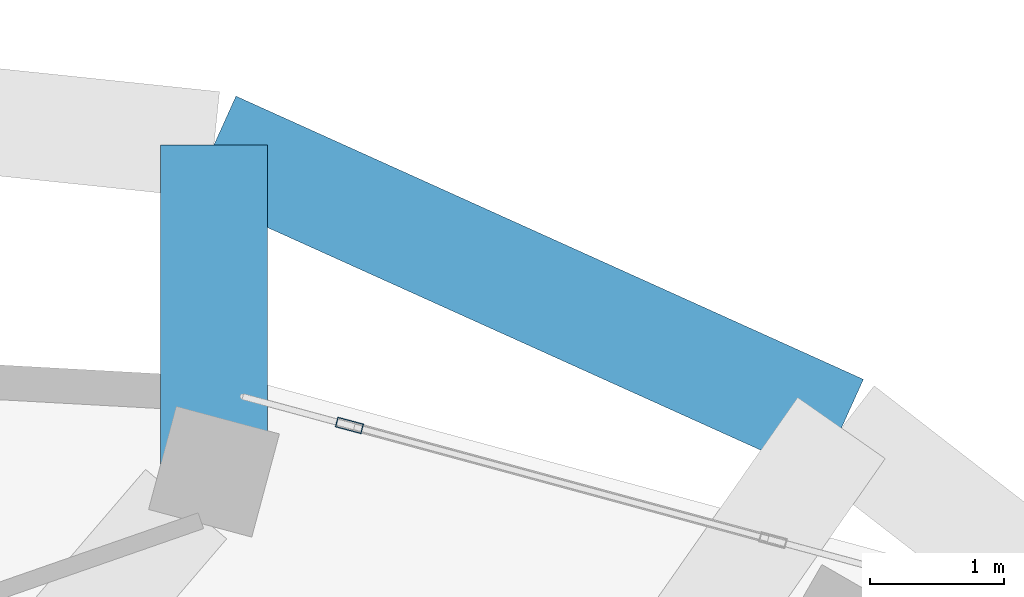
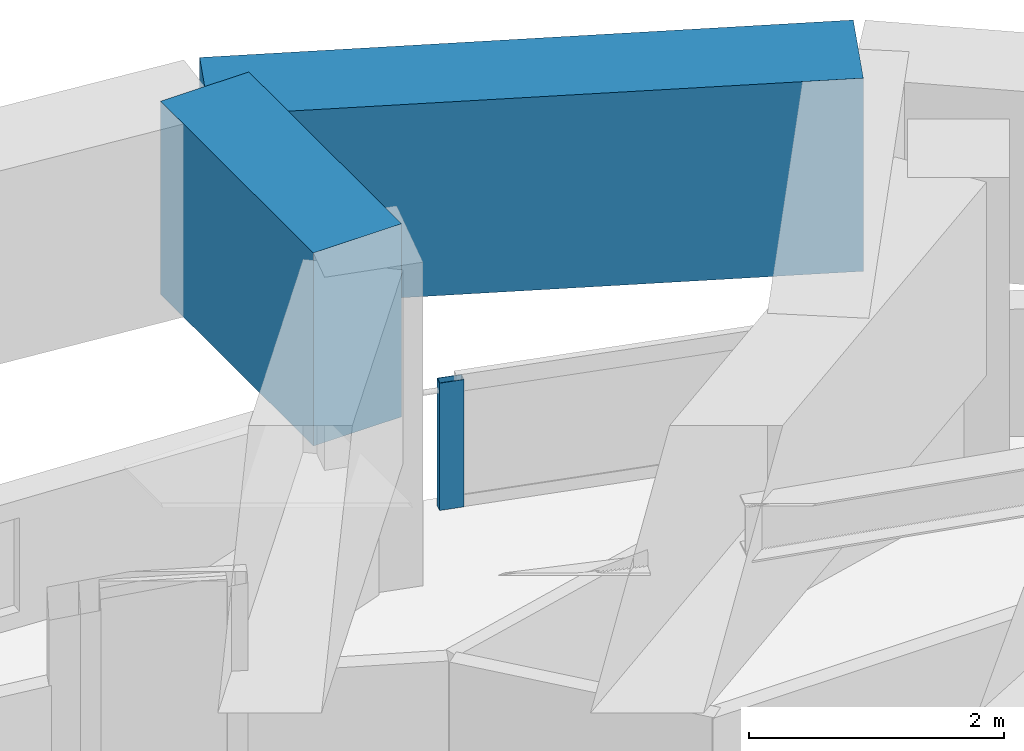
# One storey, part 12 of 20: 2 beams, 1 member, 1 element without a shape of its own.
"""IFC4 building model written with IfcOpenShell, lengths in metres."""

import ifcopenshell
import ifcopenshell.guid

model = None  # the IFC model being written
_history = None  # IfcOwnerHistory: only IFC2X3 demands one
_inside = {}  # id of a spatial element -> (the spatial element, [elements in it])
_under = {}  # id of a project, library or spatial element -> (it, [spatial elements below it])
_declared = {}  # id of a project -> (the project, [libraries it declares])
_typed = {}  # id of a type object -> (the type object, [elements of that type])
_made_of = {}  # id of a material, layer set ... -> (it, [elements and type objects made of it])


def new_model(schema):
    """Start an empty IFC model of exactly this schema.

    Asked for "IFC4X3", IfcOpenShell would pick the latest addendum, in which some entities
    have other attributes; the version numbers below select the first issue.
    IFC2X3 requires an IfcOwnerHistory on every rooted entity: one is made here for all.
    """
    global model, _history
    if schema == "IFC4X3":
        model = ifcopenshell.file(schema_version=(4, 3, 0, 0))
    else:
        model = ifcopenshell.file(schema=schema)
    _inside.clear()
    _under.clear()
    _declared.clear()
    _typed.clear()
    _made_of.clear()
    _history = None
    if model.schema == "IFC2X3":
        org = make("IfcOrganization", Name="unknown")
        user = make(
            "IfcPersonAndOrganization",
            ThePerson=make("IfcPerson", FamilyName="unknown"),
            TheOrganization=org,
        )
        app = make(
            "IfcApplication",
            ApplicationDeveloper=org,
            Version="unknown",
            ApplicationFullName="unknown",
            ApplicationIdentifier="unknown",
        )
        _history = make(
            "IfcOwnerHistory",
            OwningUser=user,
            OwningApplication=app,
            ChangeAction="ADDED",
            CreationDate=0,
        )
    return model


def make(cls, **values):
    """One entity of the class cls with the attributes given. An attribute that is None is left unset."""
    return model.create_entity(
        cls, **{name: value for name, value in values.items() if value is not None}
    )


def rooted(cls, **values):
    """An entity with a GlobalId (a new one), such as an element, a storey or a relation."""
    return make(cls, GlobalId=ifcopenshell.guid.new(), OwnerHistory=_history, **values)


def si_unit(unit_type, name, prefix=None):
    """IfcSIUnit, for example si_unit("LENGTHUNIT", "METRE", prefix="MILLI")."""
    return make("IfcSIUnit", UnitType=unit_type, Prefix=prefix, Name=name)


def assignment(units):
    """IfcUnitAssignment: the units of a project."""
    return None if units is None else make("IfcUnitAssignment", Units=units)


def point(xyz):
    """IfcCartesianPoint."""
    return None if xyz is None else make("IfcCartesianPoint", Coordinates=xyz)


def direction(xyz):
    """IfcDirection."""
    return None if xyz is None else make("IfcDirection", DirectionRatios=xyz)


def frame(location, z_axis=None, x_axis=None):
    """IfcAxis2Placement3D, a coordinate frame: its origin and axes. An axis left out is left unset."""
    return make(
        "IfcAxis2Placement3D",
        Location=point(location),
        Axis=direction(z_axis),
        RefDirection=direction(x_axis),
    )


def frame_2d(location, x_axis=None):
    """IfcAxis2Placement2D, a coordinate frame in the plane: its origin and x axis."""
    return make(
        "IfcAxis2Placement2D", Location=point(location), RefDirection=direction(x_axis)
    )


def origin():
    """The frame at (0, 0, 0) with its axes left unset."""
    return frame((0.0, 0.0, 0.0))


def origin_2d():
    """The frame at (0, 0) in the plane with its x axis left unset."""
    return frame_2d((0.0, 0.0))


def place(relative_to, where):
    """IfcLocalPlacement: puts the frame where relative to a parent placement (None: the world)."""
    return make(
        "IfcLocalPlacement", PlacementRelTo=relative_to, RelativePlacement=where
    )


def context(
    kind, dimensions, precision=None, world=None, true_north=None, identifier=None
):
    """IfcGeometricRepresentationContext, for example the 3D "Model" context."""
    return make(
        "IfcGeometricRepresentationContext",
        ContextIdentifier=identifier,
        ContextType=kind,
        CoordinateSpaceDimension=dimensions,
        Precision=precision,
        WorldCoordinateSystem=world,
        TrueNorth=true_north,
    )


def subcontext(parent, identifier, kind, view, scale=None):
    """IfcGeometricRepresentationSubContext, for example "Body" below "Model"."""
    return make(
        "IfcGeometricRepresentationSubContext",
        ContextIdentifier=identifier,
        ContextType=kind,
        ParentContext=parent,
        TargetScale=scale,
        TargetView=view,
    )


def project(units=None, contexts=None):
    """IfcProject with its units and contexts."""
    return rooted(
        "IfcProject",
        Name="project",
        RepresentationContexts=contexts,
        UnitsInContext=assignment(units),
    )


def spatial(cls, under=None, at=None, **own):
    """A site, building, storey or space (cls), placed at a placement, below another one or the project."""
    s = rooted(cls, ObjectPlacement=at, **own)
    if under is not None:
        _under.setdefault(under.id(), (under, []))[1].append(s)
    return s


def profile(cls, at=None, kind="AREA", **sizes):
    """A parametric profile (cls). Its sizes go by their IFC names, for example OverallWidth=200.0."""
    return make(cls, ProfileType=kind, Position=at, **sizes)


def rectangle(**sizes):
    """IfcRectangleProfileDef."""
    return profile("IfcRectangleProfileDef", **sizes)


def hollow_rectangle(**sizes):
    """IfcRectangleHollowProfileDef."""
    return profile("IfcRectangleHollowProfileDef", **sizes)


def extrude(swept, where, along, depth):
    """IfcExtrudedAreaSolid: the profile swept, set in the frame where, extruded along a direction by depth."""
    return make(
        "IfcExtrudedAreaSolid",
        SweptArea=swept,
        Position=where,
        ExtrudedDirection=direction(along),
        Depth=depth,
    )


def shape(context_of_items, identifier, shape_type, items):
    """IfcShapeRepresentation: the items that make up one representation, for example the "Body"."""
    return make(
        "IfcShapeRepresentation",
        ContextOfItems=context_of_items,
        RepresentationIdentifier=identifier,
        RepresentationType=shape_type,
        Items=items,
    )


def material(Name=None, Category=None):
    """IfcMaterial."""
    return make("IfcMaterial", Name=Name, Category=Category)


def layer(
    of_material, thickness, ventilated=None, Name=None, Category=None, Priority=None
):
    """IfcMaterialLayer: one layer of a wall or slab, of a material (None: an air gap)."""
    return make(
        "IfcMaterialLayer",
        Material=of_material,
        LayerThickness=thickness,
        IsVentilated=ventilated,
        Name=Name,
        Category=Category,
        Priority=Priority,
    )


def layer_set(layers, Name=None):
    """IfcMaterialLayerSet."""
    return make("IfcMaterialLayerSet", MaterialLayers=layers, LayerSetName=Name)


def material_profile(
    of_material, cross_section, Name=None, Category=None, Priority=None
):
    """IfcMaterialProfile: a cross section and its material."""
    return make(
        "IfcMaterialProfile",
        Name=Name,
        Material=of_material,
        Profile=cross_section,
        Priority=Priority,
        Category=Category,
    )


def profile_set(profiles, Name=None, composite=None):
    """IfcMaterialProfileSet."""
    return make(
        "IfcMaterialProfileSet",
        Name=Name,
        MaterialProfiles=profiles,
        CompositeProfile=composite,
    )


def made_of(thing, what):
    """Note that an element or type object is made of a material, layer set ...; save() writes the relation."""
    if what is not None:
        _made_of.setdefault(what.id(), (what, []))[1].append(thing)
    return thing


def type_object(cls, material=None, **own):
    """A type object (cls), such as IfcWallType, which elements share."""
    return made_of(rooted(cls, **own), material)


def element(
    cls,
    number,
    at=None,
    inside=None,
    cuts=None,
    type_object=None,
    material=None,
    context=None,
    identifier="Body",
    shape_type=None,
    held_by="IfcProductDefinitionShape",
    body=None,
    shapes=None,
    **own,
):
    """One element of the class cls, such as IfcWall. Its Tag is "e" and its number.

    at: its placement. inside: the storey or other place that contains it. cuts: it is an
    opening in that element (IfcRelVoidsElement). A single representation is given by context,
    identifier, shape_type and body (its items); several are given by shapes. held_by: the class
    of the entity that holds the representations. save() writes the other relations.
    """
    e = rooted(cls, Tag="e%d" % number, ObjectPlacement=at, **own)
    if body is not None:
        shapes = [shape(context, identifier, shape_type, body)]
    if shapes is not None:
        e.Representation = make(held_by, Representations=shapes)
    if inside is not None:
        _inside.setdefault(inside.id(), (inside, []))[1].append(e)
    if cuts is not None:
        rooted(
            "IfcRelVoidsElement", RelatingBuildingElement=cuts, RelatedOpeningElement=e
        )
    if type_object is not None:
        _typed.setdefault(type_object.id(), (type_object, []))[1].append(e)
    return made_of(e, material)


def aggregate(whole, parts):
    """IfcRelAggregates: a whole, such as a stair, and the parts it consists of."""
    return rooted("IfcRelAggregates", RelatingObject=whole, RelatedObjects=parts)


def save(model, path):
    """Write the relations noted so far, then the file.

    IfcRelAggregates (storeys below a building ...), IfcRelContainedInSpatialStructure (elements
    in a storey), IfcRelDefinesByType, IfcRelAssociatesMaterial and IfcRelDeclares: one each for
    every whole, place, type object, material and project.
    """
    for whole, parts in _under.values():
        aggregate(whole, parts)
    for where, things in _inside.values():
        rooted(
            "IfcRelContainedInSpatialStructure",
            RelatedElements=things,
            RelatingStructure=where,
        )
    for kind, things in _typed.values():
        rooted("IfcRelDefinesByType", RelatedObjects=things, RelatingType=kind)
    for what, things in _made_of.values():
        rooted("IfcRelAssociatesMaterial", RelatedObjects=things, RelatingMaterial=what)
    for by, libraries in _declared.values():
        rooted("IfcRelDeclares", RelatingContext=by, RelatedDefinitions=libraries)
    model.write(path)


model = new_model("IFC4")

# Units and contexts
model_context = context("Model", 3, precision=1e-05, world=origin(), true_north=direction((0.0, 1.0)))
body_context = subcontext(model_context, "Body", "Model", "MODEL_VIEW")
ifc_project = project(units=[si_unit("LENGTHUNIT", "METRE"), si_unit("AREAUNIT", "SQUARE_METRE"), si_unit("VOLUMEUNIT", "CUBIC_METRE"), si_unit("PLANEANGLEUNIT", "RADIAN"), si_unit("MASSUNIT", "GRAM", prefix="KILO")], contexts=[model_context])

# Site, building, storey
site_placement = place(None, origin())
site = spatial("IfcSite", under=ifc_project, at=site_placement, CompositionType="ELEMENT")
building_placement = place(site_placement, origin())
building = spatial("IfcBuilding", under=site, at=building_placement, Name="Solvane Sanctuary Tower", CompositionType="ELEMENT")
storey_placement = place(building_placement, frame((0.0, 0.0, 217.10009765625)))
storey = spatial("IfcBuildingStorey", under=building, at=storey_placement, Name="L66", CompositionType="ELEMENT", Elevation=217.10009765625)

# Beams
ifc_material_1 = material(Name="Concrete C70/85", Category="concrete")
ifc_material_profile_1 = material_profile(ifc_material_1, rectangle(XDim=0.800048828125, YDim=1.85009765625, at=origin_2d()), Name="RC800X1850")
ifc_profile_set_1 = profile_set([ifc_material_profile_1], Name="Concrete C70/85")
beam_type = type_object("IfcBeamType", Name="Beam B-XFER-BLK RC800X1850", PredefinedType="BEAM", material=ifc_profile_set_1)
beam_1_placement = place(storey_placement, frame((38.856201171875, 36.96435546875, 2.1748046875), z_axis=(0.0, 1.0, 0.0), x_axis=(-1.0, 0.0, 0.0)))
element("IfcBeam", 1, at=beam_1_placement, inside=storey, type_object=beam_type, Name="L66 Block-Shift Transfer Tie 03B", PredefinedType="BEAM", context=body_context, shape_type="SweptSolid", body=[
    extrude(rectangle(XDim=0.800048828125, YDim=1.85009765625, at=origin_2d()), origin(), (0.0, 0.0, 1.0), 2.39794921875),
])
beam_2_placement = place(storey_placement, frame((38.856201171875, 39.3623046875, 2.1748046875), z_axis=(0.911462833157, -0.411382430074, 0.0), x_axis=(0.411382430074, 0.911462833157, 0.0)))
element("IfcBeam", 2, at=beam_2_placement, inside=storey, type_object=beam_type, Name="L66 Perimeter Step Transfer Ring NTC03-NTC02", PredefinedType="BEAM", context=body_context, shape_type="SweptSolid", body=[
    extrude(rectangle(XDim=0.800048828125, YDim=1.85009765625, at=origin_2d()), origin(), (0.0, 0.0, 1.0), 5.155517578125),
])

# Curtain wall, member
ifc_material_2 = material(Name="Anodised Aluminium 6063-T6", Category="aluminium")
ifc_layer = layer(ifc_material_2, 0.18994140625, Name="Anodised Aluminium 6063-T6")
ifc_layer_set = layer_set([ifc_layer], Name="Anodised Aluminium 6063-T6")
curtain_wall_type = type_object("IfcCurtainWallType", Name="Curtain Wall CW-OPER", PredefinedType="NOTDEFINED", material=ifc_layer_set)
curtain_wall_placement = place(storey_placement, origin())
curtain_wall = element("IfcCurtainWall", 3, at=curtain_wall_placement, inside=storey, type_object=curtain_wall_type, Name="L66 CW-OPER Facade Run 04", PredefinedType="NOTDEFINED")
ifc_material_profile_2 = material_profile(ifc_material_2, hollow_rectangle(XDim=0.074951171875, YDim=0.199951171875, WallThickness=0.00390625, at=origin_2d()), Name="ALU200X75X4")
ifc_profile_set_2 = profile_set([ifc_material_profile_2], Name="Anodised Aluminium 6063-T6")
member_type = type_object("IfcMemberType", Name="Member M-CW-MUL-1 ALU200X75X4", PredefinedType="MULLION", material=ifc_profile_set_2)
member_placement = place(storey_placement, frame((39.87060546875, 37.260498046875, 0.0), z_axis=(0.0, 0.0, 1.0), x_axis=(-0.261468027073, -0.965212137728, 0.0)))
member = element("IfcMember", 4, at=member_placement, type_object=member_type, Name="CW-OPER mullion 2", PredefinedType="MULLION", context=body_context, shape_type="SweptSolid", body=[
    extrude(hollow_rectangle(XDim=0.074951171875, YDim=0.199951171875, WallThickness=0.00390625, at=origin_2d()), origin(), (0.0, 0.0, 1.0), 1.219970703125),
])
aggregate(curtain_wall, [member])

save(model, "model.ifc")
